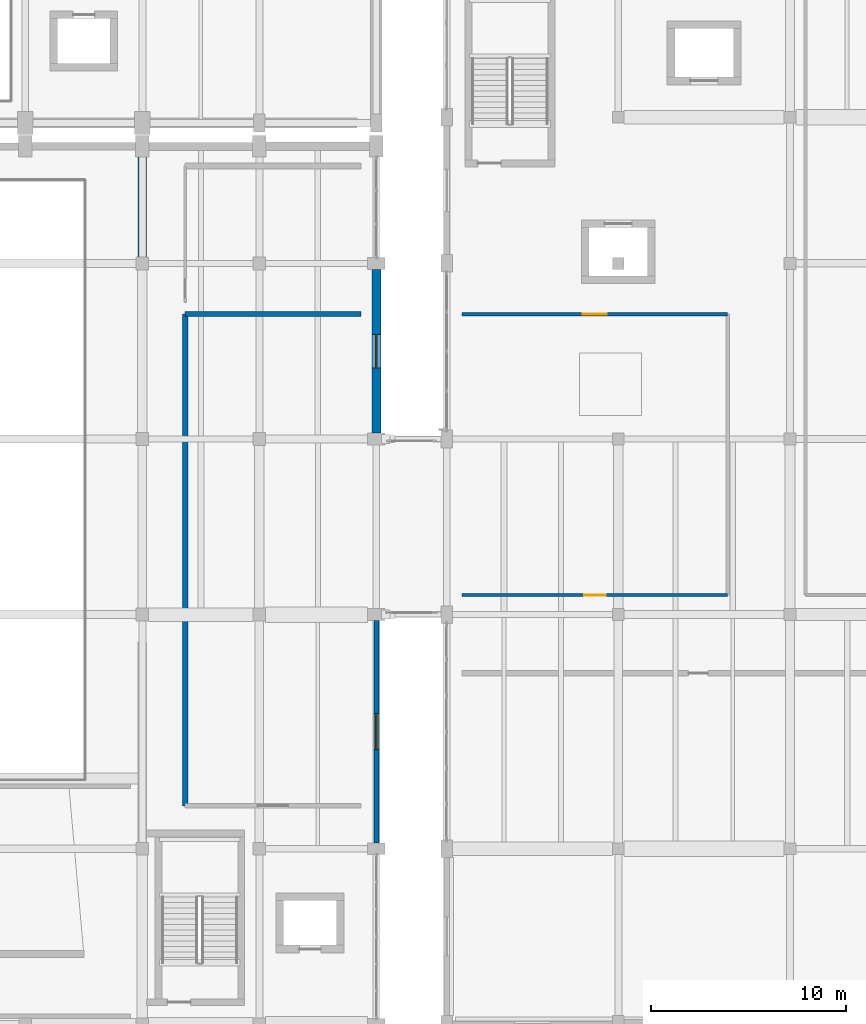
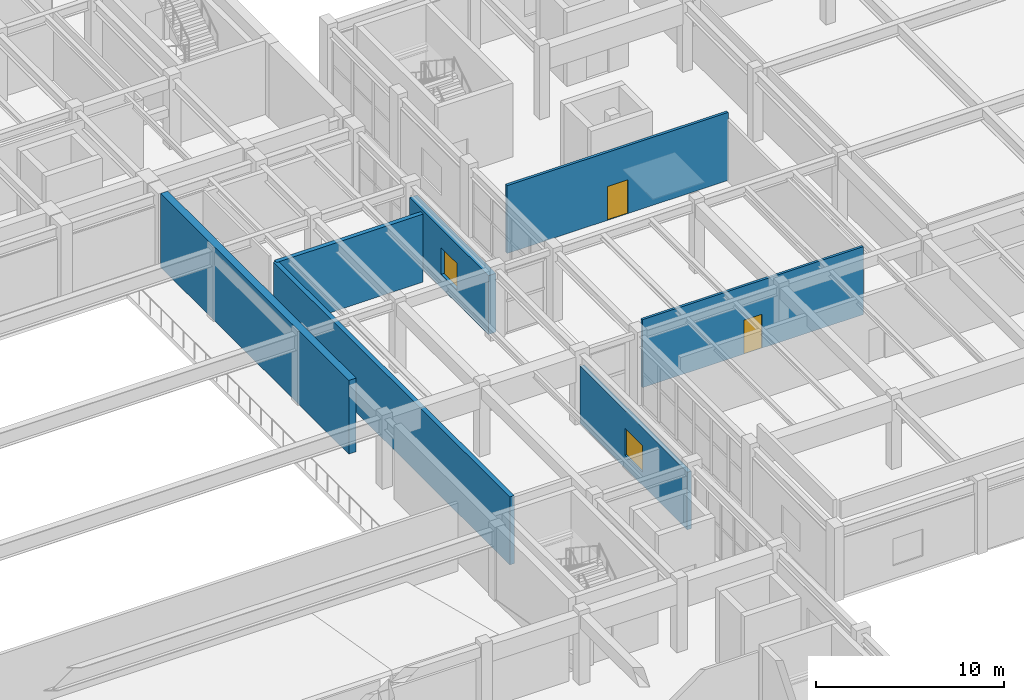
# One storey, part 63 of 85: 7 walls, 2 doors, 2 windows, 4 openings.
"""IFC4 building model written with IfcOpenShell, lengths in metres."""

from ifc_helpers import new_model, si_unit, direction, frame, frame_2d, origin, place, context, subcontext, project, spatial, rectangle, extrude, material, layer, layer_set, type_object, element, fill, save


model = new_model("IFC4")

# Units and contexts
model_context = context("Model", 3, precision=1e-05, world=origin(), true_north=direction((0.0, 1.0)))
body_context = subcontext(model_context, "Body", "Model", "MODEL_VIEW")
ifc_project = project(units=[si_unit("LENGTHUNIT", "METRE"), si_unit("AREAUNIT", "SQUARE_METRE"), si_unit("VOLUMEUNIT", "CUBIC_METRE"), si_unit("PLANEANGLEUNIT", "RADIAN"), si_unit("MASSUNIT", "GRAM", prefix="KILO")], contexts=[model_context])

# Site, building, storey
site_placement = place(None, origin())
site = spatial("IfcSite", under=ifc_project, at=site_placement, CompositionType="ELEMENT")
building_placement = place(site_placement, origin())
building = spatial("IfcBuilding", under=site, at=building_placement, Name="Vaelkrest Opera House", CompositionType="ELEMENT")
storey_placement = place(building_placement, frame((0.0, 0.0, 10.199951171875)))
storey = spatial("IfcBuildingStorey", under=building, at=storey_placement, Name="L02", CompositionType="ELEMENT", Elevation=10.199951171875)

# Wall, opening, window
ifc_material_1 = material(Name="Douglas fir glulam GL28h", Category="wood")
ifc_layer_1 = layer(ifc_material_1, 0.2548828125)
ifc_layer_set_1 = layer_set([ifc_layer_1], Name="Douglas fir glulam GL28h")
wall_type_1 = type_object("IfcWallType", Name="EW01", PredefinedType="STANDARD", material=ifc_layer_set_1)
wall_1_placement = place(storey_placement, frame((30.0, -8.097900390625, 0.0), z_axis=(0.0, 0.0, 1.0), x_axis=(0.0, -1.0, 0.0)))
wall_1 = element("IfcWall", 1, at=wall_1_placement, inside=storey, type_object=wall_type_1, Name="Exterior facade wall EW-V1-L02-0071", PredefinedType="STANDARD", context=body_context, shape_type="SweptSolid", body=[
    extrude(rectangle(XDim=11.404052734375, YDim=0.2548828125, at=frame_2d((5.7021484375, 0.0))), origin(), (0.0, 0.0, 1.0), 3.7451171875),
])
opening_1_placement = place(wall_1_placement, frame((4.777099609375, 0.0, 0.85009765625)))
opening_1 = element("IfcOpeningElement", 2, at=opening_1_placement, cuts=wall_1, Name="Opening WN032", PredefinedType="OPENING", context=body_context, shape_type="SweptSolid", body=[
    extrude(rectangle(XDim=1.85009765625, YDim=1.75, at=frame_2d((0.925048828125, 0.875))), frame((0.0, 0.137451171875, 0.0), z_axis=(0.0, -1.0, 0.0), x_axis=(1.0, 0.0, 0.0)), (0.0, 0.0, 1.0), 0.27490234375),
])
ifc_material_2 = material(Name="Double low-E insulated glazing", Category="glass")
window_type_1 = type_object("IfcWindowType", Name="WT06", PartitioningType="SINGLE_PANEL", PredefinedType="WINDOW", material=ifc_material_2)
window_1_placement = place(opening_1_placement, origin())
window_1 = element("IfcWindow", 3, at=window_1_placement, inside=storey, type_object=window_type_1, Name="Facade window WN032", OverallHeight=1.75, OverallWidth=1.85009765625, PartitioningType="SINGLE_PANEL", PredefinedType="WINDOW", context=body_context, shape_type="SweptSolid", body=[
    extrude(rectangle(XDim=1.85009765625, YDim=1.75, at=frame_2d((0.925048828125, 0.875))), frame((0.0, 0.030029296875, 0.0), z_axis=(0.0, -1.0, 0.0), x_axis=(1.0, 0.0, 0.0)), (0.0, 0.0, 1.0), 0.06005859375),
])
fill(opening_1, window_1)

ifc_material_3 = material(Name="Concrete C40/50", Category="concrete")
ifc_layer_2 = layer(ifc_material_3, 0.465087890625)
ifc_layer_set_2 = layer_set([ifc_layer_2], Name="Concrete C40/50")
wall_type_2 = type_object("IfcWallType", Name="EW10", PredefinedType="STANDARD", material=ifc_layer_set_2)
wall_2_placement = place(storey_placement, frame((30.0, 9.902099609375, 0.0), z_axis=(0.0, 0.0, 1.0), x_axis=(0.0, -1.0, 0.0)))
wall_2 = element("IfcWall", 4, at=wall_2_placement, inside=storey, type_object=wall_type_2, Name="Exterior facade wall EW-V1-L02-0070", PredefinedType="STANDARD", context=body_context, shape_type="SweptSolid", body=[
    extrude(rectangle(XDim=8.404052734375, YDim=0.465087890625, at=frame_2d((4.2021484375, 0.0))), origin(), (0.0, 0.0, 1.0), 3.8291015625),
])
opening_2_placement = place(wall_2_placement, frame((3.35205078125, 0.0, 0.85009765625)))
opening_2 = element("IfcOpeningElement", 5, at=opening_2_placement, cuts=wall_2, Name="Opening WN031", PredefinedType="OPENING", context=body_context, shape_type="SweptSolid", body=[
    extrude(rectangle(XDim=1.699951171875, YDim=1.75, at=frame_2d((0.85009765625, 0.875))), frame((0.0, 0.242431640625, 0.0), z_axis=(0.0, -1.0, 0.0), x_axis=(1.0, 0.0, 0.0)), (0.0, 0.0, 1.0), 0.485107421875),
])
window_type_2 = type_object("IfcWindowType", Name="WT05", PartitioningType="SINGLE_PANEL", PredefinedType="WINDOW", material=ifc_material_2)
window_2_placement = place(opening_2_placement, origin())
window_2 = element("IfcWindow", 6, at=window_2_placement, inside=storey, type_object=window_type_2, Name="Facade window WN031", OverallHeight=1.75, OverallWidth=1.699951171875, PartitioningType="SINGLE_PANEL", PredefinedType="WINDOW", context=body_context, shape_type="SweptSolid", body=[
    extrude(rectangle(XDim=1.699951171875, YDim=1.75, at=frame_2d((0.85009765625, 0.875))), frame((0.0, 0.030029296875, 0.0), z_axis=(0.0, -1.0, 0.0), x_axis=(1.0, 0.0, 0.0)), (0.0, 0.0, 1.0), 0.06005859375),
])
fill(opening_2, window_2)

# Wall, opening, door
ifc_material_4 = material(Name="Gypsum acoustic board", Category="gypsum")
ifc_layer_3 = layer(ifc_material_4, 0.14990234375)
ifc_layer_set_3 = layer_set([ifc_layer_3], Name="Gypsum acoustic board")
wall_type_3 = type_object("IfcWallType", Name="PT03", PredefinedType="PARTITIONING", material=ifc_layer_set_3)
wall_3_placement = place(storey_placement, frame((34.39990234375, -6.800048828125, 0.0), z_axis=(0.0, 0.0, 1.0), x_axis=(1.0, 0.0, 0.0)))
wall_3 = element("IfcWall", 7, at=wall_3_placement, inside=storey, type_object=wall_type_3, Name="Interior partition PT-V4-L02-0381", PredefinedType="PARTITIONING", context=body_context, shape_type="SweptSolid", body=[
    extrude(rectangle(XDim=13.60009765625, YDim=0.14990234375, at=frame_2d((6.800048828125, 0.0))), origin(), (0.0, 0.0, 1.0), 4.420166015625),
])
opening_3_placement = place(wall_3_placement, frame((6.25, 0.0, 0.0)))
opening_3 = element("IfcOpeningElement", 8, at=opening_3_placement, cuts=wall_3, Name="Opening D156", PredefinedType="OPENING", context=body_context, shape_type="SweptSolid", body=[
    extrude(rectangle(XDim=1.10009765625, YDim=2.199951171875, at=frame_2d((0.550048828125, 1.10009765625))), frame((0.0, 0.0849609375, 0.0), z_axis=(0.0, -1.0, 0.0), x_axis=(1.0, 0.0, 0.0)), (0.0, 0.0, 1.0), 0.169921875),
])
ifc_material_5 = material(Name="American black walnut acoustic timber", Category="wood")
door_type_1 = type_object("IfcDoorType", Name="DT06", OperationType="NOTDEFINED", PredefinedType="DOOR", material=ifc_material_5)
door_1_placement = place(opening_3_placement, origin())
door_1 = element("IfcDoor", 9, at=door_1_placement, inside=storey, type_object=door_type_1, Name="Interior door D156 (Green Room)", OperationType="SINGLE_SWING_LEFT", OverallHeight=2.199951171875, OverallWidth=1.10009765625, PredefinedType="DOOR", context=body_context, shape_type="SweptSolid", body=[
    extrude(rectangle(XDim=1.10009765625, YDim=2.199951171875, at=frame_2d((0.550048828125, 1.10009765625))), frame((0.0, 0.02490234375, 0.0), z_axis=(0.0, -1.0, 0.0), x_axis=(1.0, 0.0, 0.0)), (0.0, 0.0, 1.0), 0.050048828125),
])
fill(opening_3, door_1)

ifc_layer_4 = layer(ifc_material_4, 0.1650390625)
ifc_layer_set_4 = layer_set([ifc_layer_4], Name="Gypsum acoustic board")
wall_type_4 = type_object("IfcWallType", Name="PT04", PredefinedType="PARTITIONING", material=ifc_layer_set_4)
wall_4_placement = place(storey_placement, frame((34.39990234375, 7.60009765625, 0.0), z_axis=(0.0, 0.0, 1.0), x_axis=(1.0, 0.0, 0.0)))
wall_4 = element("IfcWall", 10, at=wall_4_placement, inside=storey, type_object=wall_type_4, Name="Interior partition PT-V4-L02-0382", PredefinedType="PARTITIONING", context=body_context, shape_type="SweptSolid", body=[
    extrude(rectangle(XDim=13.60009765625, YDim=0.1650390625, at=frame_2d((6.800048828125, 0.0))), origin(), (0.0, 0.0, 1.0), 4.420166015625),
])
opening_4_placement = place(wall_4_placement, frame((6.179931640625, 0.0, 0.0)))
opening_4 = element("IfcOpeningElement", 11, at=opening_4_placement, cuts=wall_4, Name="Opening D157", PredefinedType="OPENING", context=body_context, shape_type="SweptSolid", body=[
    extrude(rectangle(XDim=1.239990234375, YDim=2.199951171875, at=frame_2d((0.6201171875, 1.10009765625))), frame((0.0, 0.092529296875, 0.0), z_axis=(0.0, -1.0, 0.0), x_axis=(1.0, 0.0, 0.0)), (0.0, 0.0, 1.0), 0.18505859375),
])
door_type_2 = type_object("IfcDoorType", Name="DT08", OperationType="NOTDEFINED", PredefinedType="DOOR", material=ifc_material_5)
door_2_placement = place(opening_4_placement, origin())
door_2 = element("IfcDoor", 12, at=door_2_placement, inside=storey, type_object=door_type_2, Name="Interior door D157 (Prop Store)", OperationType="SINGLE_SWING_RIGHT", OverallHeight=2.199951171875, OverallWidth=1.239990234375, PredefinedType="DOOR", context=body_context, shape_type="SweptSolid", body=[
    extrude(rectangle(XDim=1.239990234375, YDim=2.199951171875, at=frame_2d((0.6201171875, 1.10009765625))), frame((0.0, 0.02490234375, 0.0), z_axis=(0.0, -1.0, 0.0), x_axis=(1.0, 0.0, 0.0)), (0.0, 0.0, 1.0), 0.050048828125),
])
fill(opening_4, door_2)

# Walls
ifc_layer_5 = layer(ifc_material_3, 0.260009765625)
ifc_layer_set_5 = layer_set([ifc_layer_5], Name="Concrete C40/50")
wall_type_5 = type_object("IfcWallType", Name="PT10", PredefinedType="PARTITIONING", material=ifc_layer_set_5)
wall_5_placement = place(storey_placement, frame((20.199951171875, 7.60009765625, 0.0), z_axis=(0.0, 0.0, 1.0), x_axis=(1.0, 0.0, 0.0)))
element("IfcWall", 13, at=wall_5_placement, inside=storey, type_object=wall_type_5, Name="Interior partition PT-V1-L02-0080", PredefinedType="PARTITIONING", context=body_context, shape_type="SweptSolid", body=[
    extrude(rectangle(XDim=9.0, YDim=0.260009765625, at=frame_2d((4.5, 0.0))), origin(), (0.0, 0.0, 1.0), 4.420166015625),
])
ifc_layer_6 = layer(ifc_material_3, 0.280029296875)
ifc_layer_set_6 = layer_set([ifc_layer_6], Name="Concrete C40/50")
wall_type_6 = type_object("IfcWallType", Name="PT11", PredefinedType="PARTITIONING", material=ifc_layer_set_6)
wall_6_placement = place(storey_placement, frame((20.199951171875, -17.60009765625, 0.0), z_axis=(0.0, 0.0, 1.0), x_axis=(0.0, 1.0, 0.0)))
element("IfcWall", 14, at=wall_6_placement, inside=storey, type_object=wall_type_6, Name="Interior partition PT-V1-L02-0081", PredefinedType="PARTITIONING", context=body_context, shape_type="SweptSolid", body=[
    extrude(rectangle(XDim=25.2001953125, YDim=0.280029296875, at=frame_2d((12.60009765625, 0.0))), origin(), (0.0, 0.0, 1.0), 4.420166015625),
])
ifc_material_6 = material(Name="Concrete C50/60", Category="concrete")
ifc_layer_7 = layer(ifc_material_6, 0.449951171875)
ifc_layer_set_7 = layer_set([ifc_layer_7], Name="Concrete C50/60")
wall_type_7 = type_object("IfcWallType", Name="SW03", PredefinedType="SHEAR", material=ifc_layer_set_7)
wall_7_placement = place(storey_placement, frame((18.0, -4.39990234375, 0.0), z_axis=(0.0, 0.0, 1.0), x_axis=(0.0, 1.0, 0.0)))
element("IfcWall", 15, at=wall_7_placement, inside=storey, type_object=wall_type_7, Name="Auditorium shell wall E2 L02", PredefinedType="SHEAR", context=body_context, shape_type="SweptSolid", body=[
    extrude(rectangle(XDim=20.0498046875, YDim=0.449951171875, at=frame_2d((10.02490234375, 0.0))), origin(), (0.0, 0.0, 1.0), 4.800048828125),
])

save(model, "model.ifc")
